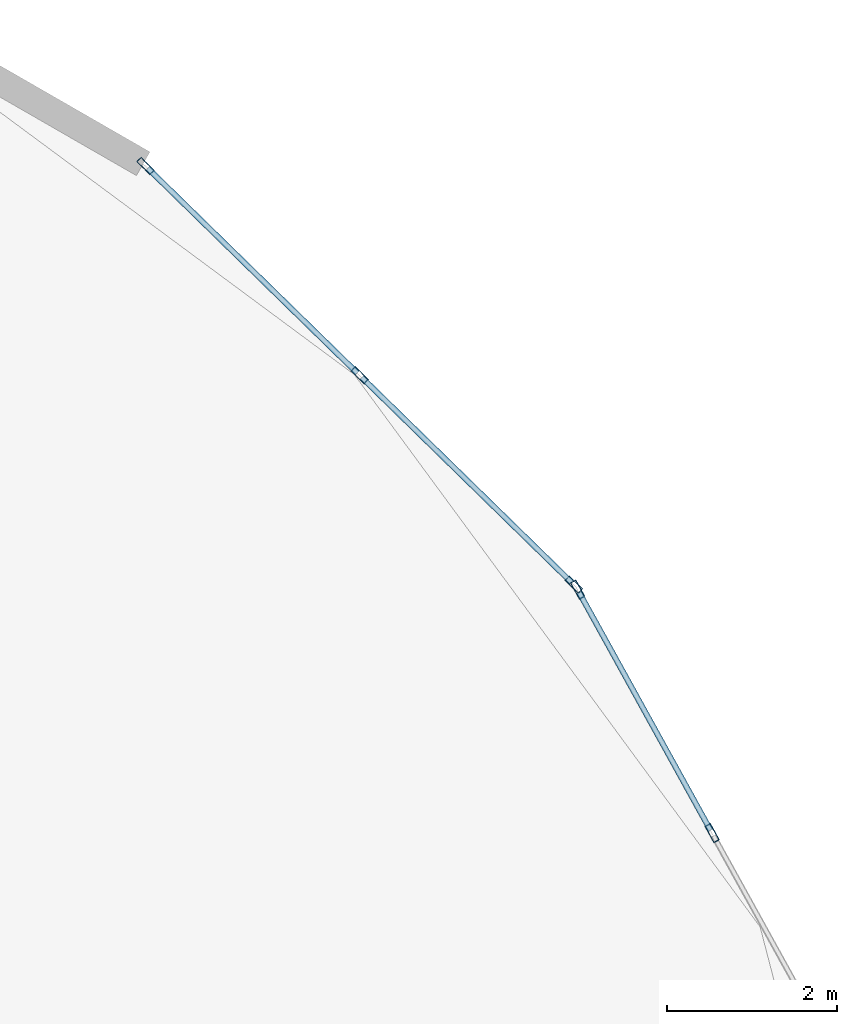
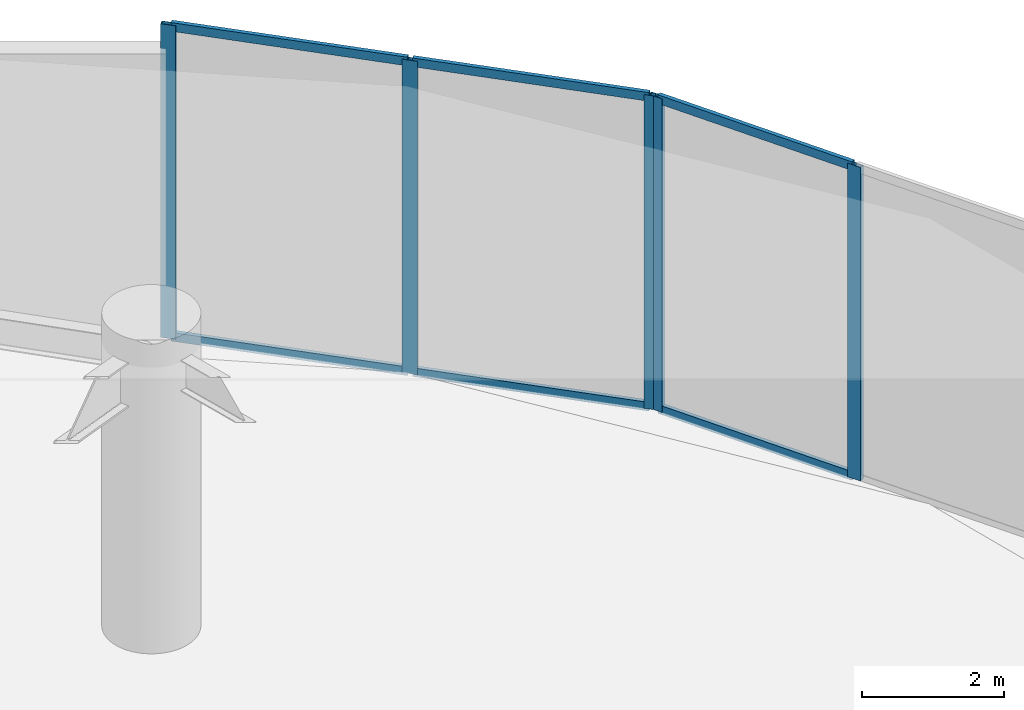
# One storey, part 19 of 29: 11 members, 2 elements without a shape of their own.
"""IFC4 building model written with IfcOpenShell, lengths in metres."""

from ifc_helpers import new_model, si_unit, direction, frame, origin, origin_2d, place, context, subcontext, project, spatial, hollow_rectangle, extrude, source, transform, mapped, material, layer, layer_set, material_profile, profile_set, type_object, element, aggregate, save


model = new_model("IFC4")

# Units and contexts
model_context = context("Model", 3, precision=1e-05, world=origin(), true_north=direction((0.0, 1.0)))
body_context = subcontext(model_context, "Body", "Model", "MODEL_VIEW")
ifc_project = project(units=[si_unit("LENGTHUNIT", "METRE"), si_unit("AREAUNIT", "SQUARE_METRE"), si_unit("VOLUMEUNIT", "CUBIC_METRE"), si_unit("PLANEANGLEUNIT", "RADIAN"), si_unit("MASSUNIT", "GRAM", prefix="KILO")], contexts=[model_context])

# Site, building, storey
site_placement = place(None, origin())
site = spatial("IfcSite", under=ifc_project, at=site_placement, CompositionType="ELEMENT")
building_placement = place(site_placement, origin())
building = spatial("IfcBuilding", under=site, at=building_placement, Name="Solvirekh Grand Hotel", CompositionType="ELEMENT")
storey_placement = place(building_placement, frame((0.0, 0.0, 7.199951171875)))
storey = spatial("IfcBuildingStorey", under=building, at=storey_placement, Name="L01", CompositionType="ELEMENT", Elevation=7.199951171875)

# Curtain wall, members
ifc_material = material(Name="Anodized Bronze Aluminium 6063-T6", Category="aluminium")
ifc_layer = layer(ifc_material, 0.219970703125)
ifc_layer_set = layer_set([ifc_layer], Name="Anodized Bronze Aluminium 6063-T6")
curtain_wall_type = type_object("IfcCurtainWallType", Name="CW_Sys1_PodiumBronzeUnitised", PredefinedType="NOTDEFINED", material=ifc_layer_set)
curtain_wall_1_placement = place(storey_placement, origin())
curtain_wall_1 = element("IfcCurtainWall", 1, at=curtain_wall_1_placement, inside=storey, type_object=curtain_wall_type, Name="L01 unitised bronze-glass curtain wall CW-L01-C02", PredefinedType="NOTDEFINED")
ifc_material_profile_1 = material_profile(ifc_material, hollow_rectangle(XDim=0.074951171875, YDim=0.219970703125, WallThickness=0.006103515625, at=origin_2d()), Name="ALU RHS 220X75X6")
ifc_profile_set_1 = profile_set([ifc_material_profile_1], Name="Anodized Bronze Aluminium 6063-T6")
member_type_1 = type_object("IfcMemberType", Name="CWMullion_Sys1", PredefinedType="MULLION", material=ifc_profile_set_1)
shared_shape_1 = source(origin(), body_context, "Body", "SweptSolid", [
    extrude(hollow_rectangle(XDim=0.074951171875, YDim=0.219970703125, WallThickness=0.006103515625, at=origin_2d()), origin(), (0.0, 0.0, 1.0), 5.400146484375),
])
member_1_placement = place(storey_placement, frame((29.3115234375, 9.10595703125, 0.0), z_axis=(0.0, 0.0, 1.0), x_axis=(-0.875345975229, -0.48349707719, 0.0)))
member_1 = element("IfcMember", 2, at=member_1_placement, type_object=member_type_1, Name="U01 mullion 2", PredefinedType="MULLION", context=body_context, shape_type="MappedRepresentation", body=[
    mapped(shared_shape_1, transform((0.0, 0.0, 0.0), x_axis=(1.0, 0.0, 0.0), y_axis=(0.0, 1.0, 0.0), z_axis=(0.0, 0.0, 1.0), scale=1.0)),
])
member_2_placement = place(storey_placement, frame((27.731201171875, 11.96728515625, 0.0), z_axis=(0.0, 0.0, 1.0), x_axis=(-0.875345975229, -0.48349707719, 0.0)))
member_2 = element("IfcMember", 3, at=member_2_placement, type_object=member_type_1, Name="U01 mullion 3", PredefinedType="MULLION", context=body_context, shape_type="MappedRepresentation", body=[
    mapped(shared_shape_1, transform((0.0, 0.0, 0.0), x_axis=(1.0, 0.0, 0.0), y_axis=(0.0, 1.0, 0.0), z_axis=(0.0, 0.0, 1.0), scale=1.0)),
])

curtain_wall_2_placement = place(storey_placement, origin())
curtain_wall_2 = element("IfcCurtainWall", 4, at=curtain_wall_2_placement, inside=storey, type_object=curtain_wall_type, Name="L01 unitised bronze-glass curtain wall CW-L01-C03", PredefinedType="NOTDEFINED")
member_3_placement = place(storey_placement, frame((27.686279296875, 12.026123046875, 0.0), z_axis=(0.0, 0.0, 1.0), x_axis=(-0.698975445529, -0.715145668062, 0.0)))
member_3 = element("IfcMember", 5, at=member_3_placement, type_object=member_type_1, Name="U01 mullion 1", PredefinedType="MULLION", context=body_context, shape_type="MappedRepresentation", body=[
    mapped(shared_shape_1, transform((0.0, 0.0, 0.0), x_axis=(1.0, 0.0, 0.0), y_axis=(0.0, 1.0, 0.0), z_axis=(0.0, 0.0, 1.0), scale=1.0)),
])
member_4_placement = place(storey_placement, frame((25.169921875, 14.485595703125, 0.0), z_axis=(0.0, 0.0, 1.0), x_axis=(-0.698975445529, -0.715145668062, 0.0)))
member_4 = element("IfcMember", 6, at=member_4_placement, type_object=member_type_1, Name="U01 mullion 2", PredefinedType="MULLION", context=body_context, shape_type="MappedRepresentation", body=[
    mapped(shared_shape_1, transform((0.0, 0.0, 0.0), x_axis=(1.0, 0.0, 0.0), y_axis=(0.0, 1.0, 0.0), z_axis=(0.0, 0.0, 1.0), scale=1.0)),
])
member_5_placement = place(storey_placement, frame((22.65380859375, 16.94482421875, 0.0), z_axis=(0.0, 0.0, 1.0), x_axis=(-0.698975445529, -0.715145668062, 0.0)))
member_5 = element("IfcMember", 7, at=member_5_placement, type_object=member_type_1, Name="U01 mullion 3", PredefinedType="MULLION", context=body_context, shape_type="MappedRepresentation", body=[
    mapped(shared_shape_1, transform((0.0, 0.0, 0.0), x_axis=(1.0, 0.0, 0.0), y_axis=(0.0, 1.0, 0.0), z_axis=(0.0, 0.0, 1.0), scale=1.0)),
])

# Member
ifc_material_profile_2 = material_profile(ifc_material, hollow_rectangle(XDim=0.06494140625, YDim=0.14990234375, WallThickness=0.0048828125, at=origin_2d()), Name="ALU RHS 150X65X5")
ifc_profile_set_2 = profile_set([ifc_material_profile_2], Name="Anodized Bronze Aluminium 6063-T6")
member_type_2 = type_object("IfcMemberType", Name="CWTransom_Sys1", PredefinedType="USERDEFINED", material=ifc_profile_set_2)
shared_shape_2 = source(origin(), body_context, "Body", "SweptSolid", [
    extrude(hollow_rectangle(XDim=0.06494140625, YDim=0.14990234375, WallThickness=0.0048828125, at=origin_2d()), origin(), (0.0, 0.0, 1.0), 3.193603515625),
])
member_6_placement = place(storey_placement, frame((29.29345703125, 9.138916015625, 0.032470703125), z_axis=(-0.483531992025, 0.875326689121, 0.0), x_axis=(-0.875326689121, -0.483531992025, 0.0)))
member_6 = element("IfcMember", 8, at=member_6_placement, type_object=member_type_2, Name="U01 transom 2.1", ObjectType="TRANSOM", PredefinedType="USERDEFINED", context=body_context, shape_type="MappedRepresentation", body=[
    mapped(shared_shape_2, transform((0.0, 0.0, 0.0), x_axis=(1.0, 0.0, 0.0), y_axis=(0.0, 1.0, 0.0), z_axis=(0.0, 0.0, 1.0), scale=1.0)),
])

member_7_placement = place(storey_placement, frame((29.29345703125, 9.138916015625, 5.367431640625), z_axis=(-0.483531992025, 0.875326689121, 0.0), x_axis=(-0.875326689121, -0.483531992025, 0.0)))
member_7 = element("IfcMember", 9, at=member_7_placement, type_object=member_type_2, Name="U01 transom 2.2", ObjectType="TRANSOM", PredefinedType="USERDEFINED", context=body_context, shape_type="MappedRepresentation", body=[
    mapped(shared_shape_2, transform((0.0, 0.0, 0.0), x_axis=(1.0, 0.0, 0.0), y_axis=(0.0, 1.0, 0.0), z_axis=(0.0, 0.0, 1.0), scale=1.0)),
])

aggregate(curtain_wall_1, [member_1, member_2, member_6, member_7])

shared_shape_3 = source(origin(), body_context, "Body", "SweptSolid", [
    extrude(hollow_rectangle(XDim=0.06494140625, YDim=0.14990234375, WallThickness=0.0048828125, at=origin_2d()), origin(), (0.0, 0.0, 1.0), 3.443359375),
])
member_8_placement = place(storey_placement, frame((27.659423828125, 12.052490234375, 0.032470703125), z_axis=(-0.715178342061, 0.698942014081, 0.0), x_axis=(-0.698942014081, -0.715178342061, 0.0)))
member_8 = element("IfcMember", 10, at=member_8_placement, type_object=member_type_2, Name="U01 transom 1.1", ObjectType="TRANSOM", PredefinedType="USERDEFINED", context=body_context, shape_type="MappedRepresentation", body=[
    mapped(shared_shape_3, transform((0.0, 0.0, 0.0), x_axis=(1.0, 0.0, 0.0), y_axis=(0.0, 1.0, 0.0), z_axis=(0.0, 0.0, 1.0), scale=1.0)),
])

member_9_placement = place(storey_placement, frame((27.659423828125, 12.052490234375, 5.367431640625), z_axis=(-0.715178342061, 0.698942014081, 0.0), x_axis=(-0.698942014081, -0.715178342061, 0.0)))
member_9 = element("IfcMember", 11, at=member_9_placement, type_object=member_type_2, Name="U01 transom 1.2", ObjectType="TRANSOM", PredefinedType="USERDEFINED", context=body_context, shape_type="MappedRepresentation", body=[
    mapped(shared_shape_3, transform((0.0, 0.0, 0.0), x_axis=(1.0, 0.0, 0.0), y_axis=(0.0, 1.0, 0.0), z_axis=(0.0, 0.0, 1.0), scale=1.0)),
])

shared_shape_4 = source(origin(), body_context, "Body", "SweptSolid", [
    extrude(hollow_rectangle(XDim=0.06494140625, YDim=0.14990234375, WallThickness=0.0048828125, at=origin_2d()), origin(), (0.0, 0.0, 1.0), 3.443115234375),
])
member_10_placement = place(storey_placement, frame((25.14306640625, 14.51171875, 0.032470703125), z_axis=(-0.715143702876, 0.698977456172, 0.0), x_axis=(-0.698977456172, -0.715143702876, 0.0)))
member_10 = element("IfcMember", 12, at=member_10_placement, type_object=member_type_2, Name="U01 transom 2.1", ObjectType="TRANSOM", PredefinedType="USERDEFINED", context=body_context, shape_type="MappedRepresentation", body=[
    mapped(shared_shape_4, transform((0.0, 0.0, 0.0), x_axis=(1.0, 0.0, 0.0), y_axis=(0.0, 1.0, 0.0), z_axis=(0.0, 0.0, 1.0), scale=1.0)),
])

member_11_placement = place(storey_placement, frame((25.14306640625, 14.51171875, 5.367431640625), z_axis=(-0.715143702876, 0.698977456172, 0.0), x_axis=(-0.698977456172, -0.715143702876, 0.0)))
member_11 = element("IfcMember", 13, at=member_11_placement, type_object=member_type_2, Name="U01 transom 2.2", ObjectType="TRANSOM", PredefinedType="USERDEFINED", context=body_context, shape_type="MappedRepresentation", body=[
    mapped(shared_shape_4, transform((0.0, 0.0, 0.0), x_axis=(1.0, 0.0, 0.0), y_axis=(0.0, 1.0, 0.0), z_axis=(0.0, 0.0, 1.0), scale=1.0)),
])

aggregate(curtain_wall_2, [member_3, member_4, member_5, member_8, member_9, member_10, member_11])

save(model, "model.ifc")
